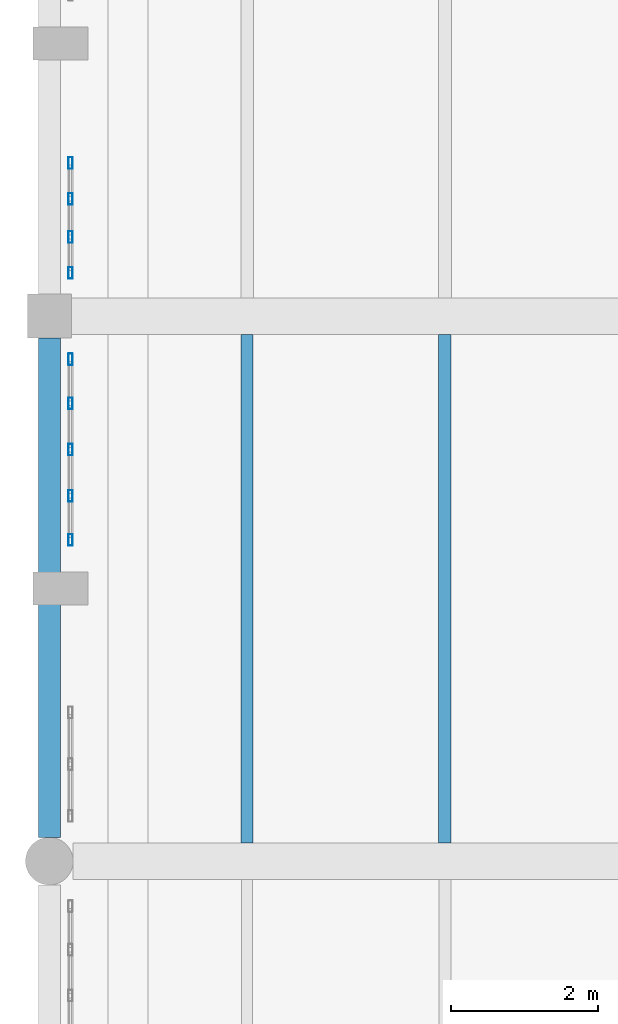
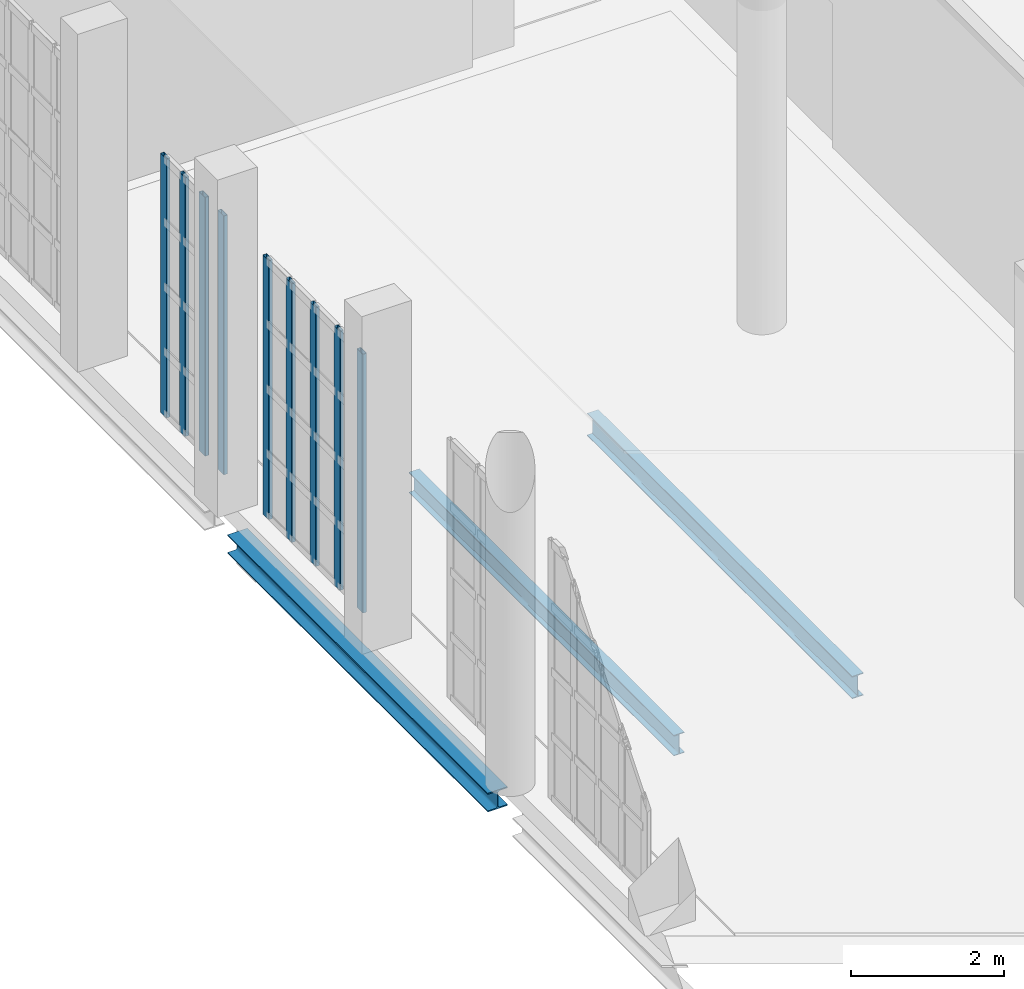
# One storey, part 84 of 372: 9 members, 3 beams, 2 elements without a shape of their own.
"""IFC4 building model written with IfcOpenShell, lengths in metres."""

from ifc_helpers import new_model, si_unit, direction, frame, origin, origin_2d, place, context, subcontext, project, spatial, hollow_rectangle, i_section, extrude, material, material_profile, profile_set, type_object, element, aggregate, save


model = new_model("IFC4")

# Units and contexts
model_context = context("Model", 3, precision=1e-05, world=origin(), true_north=direction((0.0, 1.0)))
body_context = subcontext(model_context, "Body", "Model", "MODEL_VIEW")
ifc_project = project(units=[si_unit("LENGTHUNIT", "METRE"), si_unit("AREAUNIT", "SQUARE_METRE"), si_unit("VOLUMEUNIT", "CUBIC_METRE"), si_unit("PLANEANGLEUNIT", "RADIAN"), si_unit("MASSUNIT", "GRAM", prefix="KILO")], contexts=[model_context])

# Site, building, storey
site_placement = place(None, origin())
site = spatial("IfcSite", under=ifc_project, at=site_placement, CompositionType="ELEMENT")
building_placement = place(site_placement, origin())
building = spatial("IfcBuilding", under=site, at=building_placement, Name="Kaelora Sail Theatre", CompositionType="ELEMENT")
storey_placement = place(building_placement, origin())
storey = spatial("IfcBuildingStorey", under=building, at=storey_placement, Name="L00", CompositionType="ELEMENT", Elevation=0.0)

# Curtain wall, members
ifc_material_1 = material(Name="Anodised aluminium and solar-control low-E IGU", Category="aluminium")
curtain_wall_type = type_object("IfcCurtainWallType", Name="ARC-CW-CW-FOY1", PredefinedType="NOTDEFINED", material=ifc_material_1)
curtain_wall_1_placement = place(storey_placement, origin())
curtain_wall_1 = element("IfcCurtainWall", 1, at=curtain_wall_1_placement, inside=storey, type_object=curtain_wall_type, Name="Glazed Colonnade/Courtyard Curtain Wall COLW-W-L00-09", PredefinedType="NOTDEFINED")
ifc_material_2 = material(Name="Anodised aluminium 6063-T6", Category="aluminium")
ifc_material_profile_1 = material_profile(ifc_material_2, hollow_rectangle(XDim=0.06005859375, YDim=0.159912109375, WallThickness=0.00390625, InnerFilletRadius=0.00390625, OuterFilletRadius=0.008056640625, at=origin_2d()), Name="ALU-MULL 60x160x4")
ifc_profile_set_1 = profile_set([ifc_material_profile_1], Name="Anodised aluminium 6063-T6")
member_type = type_object("IfcMemberType", Name="ARC-MEM-ML-160", PredefinedType="MULLION", material=ifc_profile_set_1)
member_1_placement = place(storey_placement, frame((1.7900390625, 50.52490234375, 0.0), z_axis=(0.0, 0.0, 1.0), x_axis=(-1.0, 0.0, 0.0)))
member_1 = element("IfcMember", 2, at=member_1_placement, type_object=member_type, Name="CW-FOY1 mullion 1", PredefinedType="MULLION", context=body_context, shape_type="SweptSolid", body=[
    extrude(hollow_rectangle(XDim=0.06005859375, YDim=0.159912109375, WallThickness=0.00390625, InnerFilletRadius=0.00390625, OuterFilletRadius=0.008056640625, at=origin_2d()), origin(), (0.0, 0.0, 1.0), 4.136962890625),
])
member_2_placement = place(storey_placement, frame((1.7900390625, 51.126220703125, 0.0), z_axis=(0.0, 0.0, 1.0), x_axis=(-1.0, 0.0, 0.0)))
member_2 = element("IfcMember", 3, at=member_2_placement, type_object=member_type, Name="CW-FOY1 mullion 2", PredefinedType="MULLION", context=body_context, shape_type="SweptSolid", body=[
    extrude(hollow_rectangle(XDim=0.06005859375, YDim=0.159912109375, WallThickness=0.00390625, InnerFilletRadius=0.00390625, OuterFilletRadius=0.008056640625, at=origin_2d()), origin(), (0.0, 0.0, 1.0), 4.136962890625),
])
member_3_placement = place(storey_placement, frame((1.7900390625, 51.757568359375, 0.0), z_axis=(0.0, 0.0, 1.0), x_axis=(-1.0, 0.0, 0.0)))
member_3 = element("IfcMember", 4, at=member_3_placement, type_object=member_type, Name="CW-FOY1 mullion 3", PredefinedType="MULLION", context=body_context, shape_type="SweptSolid", body=[
    extrude(hollow_rectangle(XDim=0.06005859375, YDim=0.159912109375, WallThickness=0.00390625, InnerFilletRadius=0.00390625, OuterFilletRadius=0.008056640625, at=origin_2d()), origin(), (0.0, 0.0, 1.0), 4.136962890625),
])
member_4_placement = place(storey_placement, frame((1.7900390625, 52.388671875, 0.0), z_axis=(0.0, 0.0, 1.0), x_axis=(-1.0, 0.0, 0.0)))
member_4 = element("IfcMember", 5, at=member_4_placement, type_object=member_type, Name="CW-FOY1 mullion 4", PredefinedType="MULLION", context=body_context, shape_type="SweptSolid", body=[
    extrude(hollow_rectangle(XDim=0.06005859375, YDim=0.159912109375, WallThickness=0.00390625, InnerFilletRadius=0.00390625, OuterFilletRadius=0.008056640625, at=origin_2d()), origin(), (0.0, 0.0, 1.0), 4.136962890625),
])
member_5_placement = place(storey_placement, frame((1.7900390625, 52.989990234375, 0.0), z_axis=(0.0, 0.0, 1.0), x_axis=(-1.0, 0.0, 0.0)))
member_5 = element("IfcMember", 6, at=member_5_placement, type_object=member_type, Name="CW-FOY1 mullion 5", PredefinedType="MULLION", context=body_context, shape_type="SweptSolid", body=[
    extrude(hollow_rectangle(XDim=0.06005859375, YDim=0.159912109375, WallThickness=0.00390625, InnerFilletRadius=0.00390625, OuterFilletRadius=0.008056640625, at=origin_2d()), origin(), (0.0, 0.0, 1.0), 4.136962890625),
])
aggregate(curtain_wall_1, [member_1, member_2, member_3, member_4, member_5])

curtain_wall_2_placement = place(storey_placement, origin())
curtain_wall_2 = element("IfcCurtainWall", 7, at=curtain_wall_2_placement, inside=storey, type_object=curtain_wall_type, Name="Glazed Colonnade/Courtyard Curtain Wall COLW-W-L00-10", PredefinedType="NOTDEFINED")
member_6_placement = place(storey_placement, frame((1.7900390625, 54.169921875, 0.0), z_axis=(0.0, 0.0, 1.0), x_axis=(-1.0, 0.0, 0.0)))
member_6 = element("IfcMember", 8, at=member_6_placement, type_object=member_type, Name="CW-FOY1 mullion 1", PredefinedType="MULLION", context=body_context, shape_type="SweptSolid", body=[
    extrude(hollow_rectangle(XDim=0.06005859375, YDim=0.159912109375, WallThickness=0.00390625, InnerFilletRadius=0.00390625, OuterFilletRadius=0.008056640625, at=origin_2d()), origin(), (0.0, 0.0, 1.0), 4.136962890625),
])
member_7_placement = place(storey_placement, frame((1.7900390625, 54.659912109375, 0.0), z_axis=(0.0, 0.0, 1.0), x_axis=(-1.0, 0.0, 0.0)))
member_7 = element("IfcMember", 9, at=member_7_placement, type_object=member_type, Name="CW-FOY1 mullion 2", PredefinedType="MULLION", context=body_context, shape_type="SweptSolid", body=[
    extrude(hollow_rectangle(XDim=0.06005859375, YDim=0.159912109375, WallThickness=0.00390625, InnerFilletRadius=0.00390625, OuterFilletRadius=0.008056640625, at=origin_2d()), origin(), (0.0, 0.0, 1.0), 4.136962890625),
])
member_8_placement = place(storey_placement, frame((1.7900390625, 55.179931640625, 0.0), z_axis=(0.0, 0.0, 1.0), x_axis=(-1.0, 0.0, 0.0)))
member_8 = element("IfcMember", 10, at=member_8_placement, type_object=member_type, Name="CW-FOY1 mullion 3", PredefinedType="MULLION", context=body_context, shape_type="SweptSolid", body=[
    extrude(hollow_rectangle(XDim=0.06005859375, YDim=0.159912109375, WallThickness=0.00390625, InnerFilletRadius=0.00390625, OuterFilletRadius=0.008056640625, at=origin_2d()), origin(), (0.0, 0.0, 1.0), 4.136962890625),
])
member_9_placement = place(storey_placement, frame((1.7900390625, 55.669921875, 0.0), z_axis=(0.0, 0.0, 1.0), x_axis=(-1.0, 0.0, 0.0)))
member_9 = element("IfcMember", 11, at=member_9_placement, type_object=member_type, Name="CW-FOY1 mullion 4", PredefinedType="MULLION", context=body_context, shape_type="SweptSolid", body=[
    extrude(hollow_rectangle(XDim=0.06005859375, YDim=0.159912109375, WallThickness=0.00390625, InnerFilletRadius=0.00390625, OuterFilletRadius=0.008056640625, at=origin_2d()), origin(), (0.0, 0.0, 1.0), 4.136962890625),
])
aggregate(curtain_wall_2, [member_6, member_7, member_8, member_9])

# Beams
ifc_material_3 = material(Name="Steel S355", Category="steel")
ifc_material_profile_2 = material_profile(ifc_material_3, i_section(OverallWidth=0.159912109375, OverallDepth=0.330078125, WebThickness=0.007568359375, FlangeThickness=0.011474609375, FilletRadius=0.01806640625, at=origin_2d()), Name="IPE 330")
ifc_profile_set_2 = profile_set([ifc_material_profile_2], Name="Steel S355")
beam_type_1 = type_object("IfcBeamType", Name="STR-BM-JS-IPE330", PredefinedType="JOIST", material=ifc_profile_set_2)
beam_1_placement = place(storey_placement, frame((4.199951171875, 46.389892578125, -0.485107421875), z_axis=(0.0, 1.0, 0.0), x_axis=(-1.0, 0.0, 0.0)))
element("IfcBeam", 12, at=beam_1_placement, inside=storey, type_object=beam_type_1, Name="Secondary floor joist 1/G-1 (L00)", PredefinedType="JOIST", context=body_context, shape_type="SweptSolid", body=[
    extrude(i_section(OverallWidth=0.159912109375, OverallDepth=0.330078125, WebThickness=0.007568359375, FlangeThickness=0.011474609375, FilletRadius=0.01806640625, at=origin_2d()), origin(), (0.0, 0.0, 1.0), 6.940185546875),
])
ifc_material_4 = material(Name="Steel S355", Category="steel")
ifc_material_profile_3 = material_profile(ifc_material_4, i_section(OverallWidth=0.169921875, OverallDepth=0.360107421875, WebThickness=0.008056640625, FlangeThickness=0.0126953125, FilletRadius=0.01806640625, at=origin_2d()), Name="IPE 360")
ifc_profile_set_3 = profile_set([ifc_material_profile_3], Name="Steel S355")
beam_type_2 = type_object("IfcBeamType", Name="STR-BM-JS-IPE360", PredefinedType="JOIST", material=ifc_profile_set_3)
beam_2_placement = place(storey_placement, frame((6.89990234375, 46.389892578125, -0.5), z_axis=(0.0, 1.0, 0.0), x_axis=(-1.0, 0.0, 0.0)))
element("IfcBeam", 13, at=beam_2_placement, inside=storey, type_object=beam_type_2, Name="Secondary floor joist 1/G-2 (L00)", PredefinedType="JOIST", context=body_context, shape_type="SweptSolid", body=[
    extrude(i_section(OverallWidth=0.169921875, OverallDepth=0.360107421875, WebThickness=0.008056640625, FlangeThickness=0.0126953125, FilletRadius=0.01806640625, at=origin_2d()), origin(), (0.0, 0.0, 1.0), 6.940185546875),
])
ifc_material_5 = material(Name="Steel S355", Category="steel")
ifc_material_profile_4 = material_profile(ifc_material_5, i_section(OverallWidth=0.300048828125, OverallDepth=0.300048828125, WebThickness=0.010986328125, FlangeThickness=0.01904296875, FilletRadius=0.027099609375, at=origin_2d()), Name="HEB 300")
ifc_profile_set_4 = profile_set([ifc_material_profile_4], Name="Steel S355")
beam_type_3 = type_object("IfcBeamType", Name="STR-BM-SP-HEB300", PredefinedType="SPANDREL", material=ifc_profile_set_4)
beam_3_placement = place(storey_placement, frame((1.5, 46.465087890625, -0.469970703125), z_axis=(0.0, 1.0, 0.0), x_axis=(-1.0, 0.0, 0.0)))
element("IfcBeam", 14, at=beam_3_placement, inside=storey, type_object=beam_type_3, Name="Primary beam 1 G-H (L00)", PredefinedType="SPANDREL", context=body_context, shape_type="SweptSolid", body=[
    extrude(i_section(OverallWidth=0.300048828125, OverallDepth=0.300048828125, WebThickness=0.010986328125, FlangeThickness=0.01904296875, FilletRadius=0.027099609375, at=origin_2d()), origin(), (0.0, 0.0, 1.0), 6.81494140625),
])

save(model, "model.ifc")
